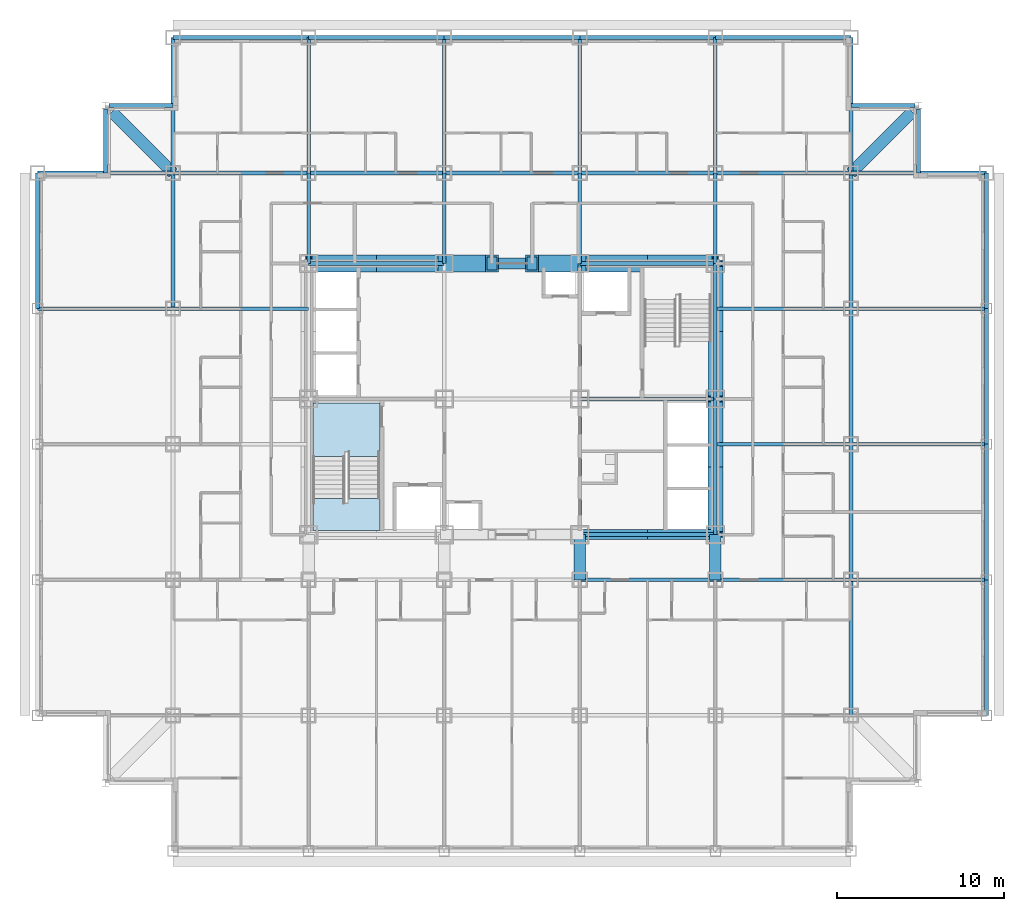
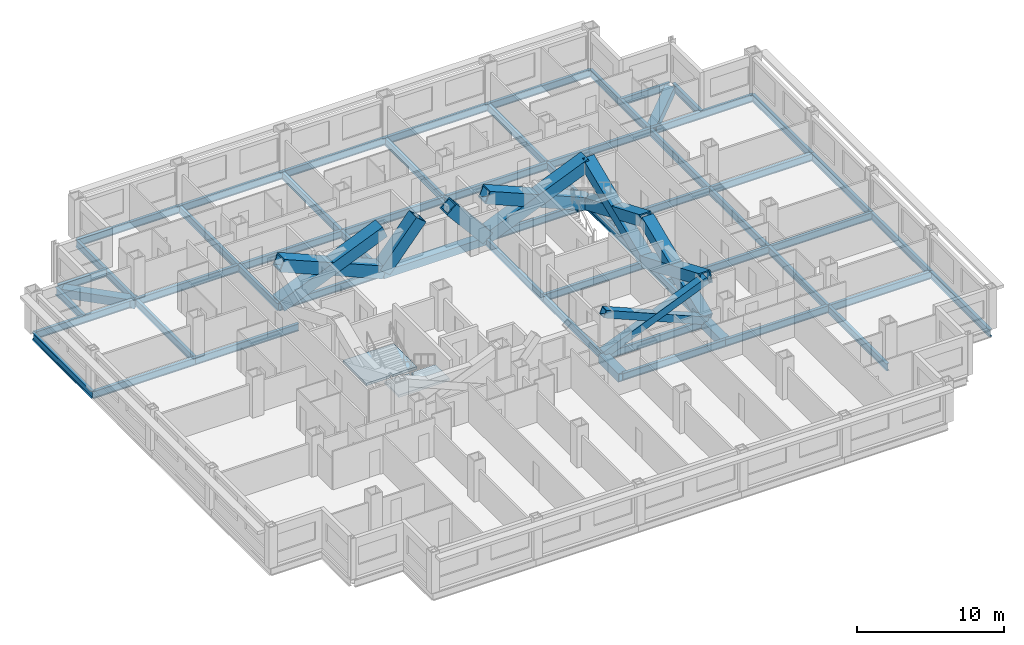
# One storey, part 2 of 13: 58 beams, 12 members, 2 slabs, 1 element without a shape of its own.
"""IFC4 building model written with IfcOpenShell, lengths in metres."""

from ifc_helpers import new_model, si_unit, direction, frame, origin, origin_2d, place, context, subcontext, project, spatial, polyline, hollow_rectangle, i_section, outline, extrude, material, layer, layer_set, material_profile, profile_set, type_object, element, aggregate, save


model = new_model("IFC4")

# Units and contexts
model_context = context("Model", 3, precision=1e-05, world=origin(), true_north=direction((0.0, 1.0)))
body_context = subcontext(model_context, "Body", "Model", "MODEL_VIEW")
ifc_project = project(units=[si_unit("LENGTHUNIT", "METRE"), si_unit("AREAUNIT", "SQUARE_METRE"), si_unit("VOLUMEUNIT", "CUBIC_METRE"), si_unit("PLANEANGLEUNIT", "RADIAN"), si_unit("MASSUNIT", "GRAM", prefix="KILO")], contexts=[model_context])

# Site, building, storey
site_placement = place(None, origin())
site = spatial("IfcSite", under=ifc_project, at=site_placement, CompositionType="ELEMENT")
building_placement = place(site_placement, origin())
building = spatial("IfcBuilding", under=site, at=building_placement, Name="Kopane Lantern Tower", CompositionType="ELEMENT")
storey_placement = place(building_placement, frame((0.0, 0.0, 110.199951171875)))
storey = spatial("IfcBuildingStorey", under=building, at=storey_placement, Name="L27", CompositionType="ELEMENT", Elevation=110.199951171875)

# Members
ifc_material_1 = material(Name="Steel S355JR", Category="steel")
ifc_material_profile_1 = material_profile(ifc_material_1, hollow_rectangle(XDim=1.0, YDim=1.0, WallThickness=0.10009765625, at=origin_2d()), Name="BOX 1000x1000x100")
ifc_profile_set_1 = profile_set([ifc_material_profile_1], Name="Steel S355JR")
member_type_1 = type_object("IfcMemberType", Name="BRACE BOX 1000x1000x100", PredefinedType="BRACE", material=ifc_profile_set_1)
for number, where, z_axis, x_axis, name in (
    (1, (16.199951171875, 40.5, -0.2099609375), (0.922069000757, 0.0, 0.387025526088), (0.0, 1.0, 0.0), "Core brace L27"),
    (2, (24.300048828125, 40.5, -0.2099609375), (-0.922069000757, 0.0, 0.387025526088), (0.0, -1.0, 0.0), "Core brace L27"),
):
    element("IfcMember", number, at=place(storey_placement, frame(where, z_axis=z_axis, x_axis=x_axis)), inside=storey, type_object=member_type_1, Name=name, PredefinedType="BRACE", context=body_context, shape_type="SweptSolid", body=[
        extrude(hollow_rectangle(XDim=1.0, YDim=1.0, WallThickness=0.10009765625, at=origin_2d()), origin(), (0.0, 0.0, 1.0), 8.78466796875),
    ])
for number, where, z_axis, x_axis, name in (
    (3, (24.300048828125, 40.5, -0.2099609375), (0.642390257445, 0.0, 0.7663776857), (0.0, 1.0, 0.0), "Core brace L27"),
    (4, (32.39990234375, 40.5, -0.2099609375), (-0.642390257445, 0.0, 0.7663776857), (0.0, -1.0, 0.0), "Core brace L27"),
):
    element("IfcMember", number, at=place(storey_placement, frame(where, z_axis=z_axis, x_axis=x_axis)), inside=storey, type_object=member_type_1, Name=name, PredefinedType="BRACE", context=body_context, shape_type="SweptSolid", body=[
        extrude(hollow_rectangle(XDim=1.0, YDim=1.0, WallThickness=0.10009765625, at=origin_2d()), origin(), (0.0, 0.0, 1.0), 4.436279296875),
    ])
for number, where, z_axis, x_axis, name in (
    (5, (32.39990234375, 40.5, -0.2099609375), (0.922069000757, 0.0, 0.387025526088), (0.0, 1.0, 0.0), "Core brace L27"),
    (6, (40.5, 40.5, -0.2099609375), (-0.922069000757, 0.0, 0.387025526088), (0.0, -1.0, 0.0), "Core brace L27"),
):
    element("IfcMember", number, at=place(storey_placement, frame(where, z_axis=z_axis, x_axis=x_axis)), inside=storey, type_object=member_type_1, Name=name, PredefinedType="BRACE", context=body_context, shape_type="SweptSolid", body=[
        extrude(hollow_rectangle(XDim=1.0, YDim=1.0, WallThickness=0.10009765625, at=origin_2d()), origin(), (0.0, 0.0, 1.0), 8.78466796875),
    ])
ifc_material_2 = material(Name="Steel S355JR", Category="steel")
ifc_material_profile_2 = material_profile(ifc_material_2, hollow_rectangle(XDim=0.60009765625, YDim=0.60009765625, WallThickness=0.050048828125, at=origin_2d()), Name="BOX 600x600x50")
ifc_profile_set_2 = profile_set([ifc_material_profile_2], Name="Steel S355JR")
member_type_2 = type_object("IfcMemberType", Name="BRACE BOX 600x600x50", PredefinedType="BRACE", material=ifc_profile_set_2)
for number, where, z_axis, x_axis, name in (
    (7, (32.39990234375, 24.300048828125, -0.2099609375), (0.922069000757, 0.0, 0.387025526088), (0.0, 1.0, 0.0), "Core brace L27"),
    (8, (40.5, 24.300048828125, -0.2099609375), (-0.922069000757, 0.0, 0.387025526088), (0.0, -1.0, 0.0), "Core brace L27"),
):
    element("IfcMember", number, at=place(storey_placement, frame(where, z_axis=z_axis, x_axis=x_axis)), inside=storey, type_object=member_type_2, Name=name, PredefinedType="BRACE", context=body_context, shape_type="SweptSolid", body=[
        extrude(hollow_rectangle(XDim=0.60009765625, YDim=0.60009765625, WallThickness=0.050048828125, at=origin_2d()), origin(), (0.0, 0.0, 1.0), 8.78466796875),
    ])
ifc_material_3 = material(Name="Steel S355JR", Category="steel")
ifc_material_profile_3 = material_profile(ifc_material_3, hollow_rectangle(XDim=0.89990234375, YDim=0.89990234375, WallThickness=0.090087890625, at=origin_2d()), Name="BOX 900x900x90")
ifc_profile_set_3 = profile_set([ifc_material_profile_3], Name="Steel S355JR")
member_type_3 = type_object("IfcMemberType", Name="BRACE BOX 900x900x90", PredefinedType="BRACE", material=ifc_profile_set_3)
for number, where, z_axis, x_axis, name in (
    (9, (40.5, 24.300048828125, -0.2099609375), (0.0, 0.922064837731, 0.38703544414), (-1.0, 0.0, 0.0), "Core brace L27"),
    (10, (40.5, 32.39990234375, -0.2099609375), (0.0, -0.922064837731, 0.38703544414), (1.0, 0.0, 0.0), "Core brace L27"),
):
    element("IfcMember", number, at=place(storey_placement, frame(where, z_axis=z_axis, x_axis=x_axis)), inside=storey, type_object=member_type_3, Name=name, PredefinedType="BRACE", context=body_context, shape_type="SweptSolid", body=[
        extrude(hollow_rectangle(XDim=0.89990234375, YDim=0.89990234375, WallThickness=0.090087890625, at=origin_2d()), origin(), (0.0, 0.0, 1.0), 8.784423828125),
    ])
for number, where, z_axis, x_axis, name in (
    (11, (40.5, 32.39990234375, -0.2099609375), (0.0, 0.922069000757, 0.387025526088), (-1.0, 0.0, 0.0), "Core brace L27"),
    (12, (40.5, 40.5, -0.2099609375), (0.0, -0.922069000757, 0.387025526088), (1.0, 0.0, 0.0), "Core brace L27"),
):
    element("IfcMember", number, at=place(storey_placement, frame(where, z_axis=z_axis, x_axis=x_axis)), inside=storey, type_object=member_type_3, Name=name, PredefinedType="BRACE", context=body_context, shape_type="SweptSolid", body=[
        extrude(hollow_rectangle(XDim=0.89990234375, YDim=0.89990234375, WallThickness=0.090087890625, at=origin_2d()), origin(), (0.0, 0.0, 1.0), 8.78466796875),
    ])

# Beams
ifc_material_4 = material(Name="Steel S355JR", Category="steel")
ifc_material_profile_4 = material_profile(ifc_material_4, i_section(OverallWidth=0.22900390625, OverallDepth=0.6123046875, WebThickness=0.011962890625, FlangeThickness=0.01953125, FilletRadius=0.0126953125, at=origin_2d()), Name="UB 610x229x125")
ifc_profile_set_4 = profile_set([ifc_material_profile_4], Name="Steel S355JR")
beam_type_1 = type_object("IfcBeamType", Name="CORE BEAM UB 610x229x125", PredefinedType="BEAM", material=ifc_profile_set_4)
beam_1_placement = place(storey_placement, frame((32.39990234375, 24.300048828125, -0.51611328125), z_axis=(0.0, 1.0, 0.0), x_axis=(-1.0, 0.0, 0.0)))
element("IfcBeam", 13, at=beam_1_placement, inside=storey, type_object=beam_type_1, Name="Core Beam L27", PredefinedType="BEAM", context=body_context, shape_type="SweptSolid", body=[
    extrude(i_section(OverallWidth=0.22900390625, OverallDepth=0.6123046875, WebThickness=0.011962890625, FlangeThickness=0.01953125, FilletRadius=0.0126953125, at=origin_2d()), origin(), (0.0, 0.0, 1.0), 8.099853515625),
])
for number, where, z_axis, x_axis, name in (
    (14, (32.39990234375, 32.39990234375, -0.51611328125), (0.0, 1.0, 0.0), (-1.0, 0.0, 0.0), "Core Beam L27"),
    (15, (32.39990234375, 32.39990234375, -0.51611328125), (1.0, 0.0, 0.0), (0.0, 1.0, 0.0), "Core Beam L27"),
):
    element("IfcBeam", number, at=place(storey_placement, frame(where, z_axis=z_axis, x_axis=x_axis)), inside=storey, type_object=beam_type_1, Name=name, PredefinedType="BEAM", context=body_context, shape_type="SweptSolid", body=[
        extrude(i_section(OverallWidth=0.22900390625, OverallDepth=0.6123046875, WebThickness=0.011962890625, FlangeThickness=0.01953125, FilletRadius=0.0126953125, at=origin_2d()), origin(), (0.0, 0.0, 1.0), 8.10009765625),
    ])
ifc_material_5 = material(Name="Steel S355JR", Category="steel")
ifc_material_profile_5 = material_profile(ifc_material_5, hollow_rectangle(XDim=0.699951171875, YDim=0.699951171875, WallThickness=0.06005859375, at=origin_2d()), Name="BOX 700x700x60")
ifc_profile_set_5 = profile_set([ifc_material_profile_5], Name="Steel S355JR")
beam_type_2 = type_object("IfcBeamType", Name="CORNER TIE BEAM BOX 700x700x60", PredefinedType="BEAM", material=ifc_profile_set_5)
beam_2_placement = place(storey_placement, frame((4.447509765625, 49.552490234375, -0.56005859375), z_axis=(0.707106781187, -0.707106781187, 0.0), x_axis=(0.707106781187, 0.707106781187, 0.0)))
element("IfcBeam", 16, at=beam_2_placement, inside=storey, type_object=beam_type_2, Name="Corner Tie Beam L27", PredefinedType="BEAM", context=body_context, shape_type="SweptSolid", body=[
    extrude(hollow_rectangle(XDim=0.699951171875, YDim=0.699951171875, WallThickness=0.06005859375, at=origin_2d()), origin(), (0.0, 0.0, 1.0), 5.16552734375),
])
beam_3_placement = place(storey_placement, frame((52.25244140625, 49.552490234375, -0.56005859375), z_axis=(-0.707083148333, -0.70713041325, 0.0), x_axis=(0.70713041325, -0.707083148333, 0.0)))
element("IfcBeam", 17, at=beam_3_placement, inside=storey, type_object=beam_type_2, Name="Corner Tie Beam L27", PredefinedType="BEAM", context=body_context, shape_type="SweptSolid", body=[
    extrude(hollow_rectangle(XDim=0.699951171875, YDim=0.699951171875, WallThickness=0.06005859375, at=origin_2d()), origin(), (0.0, 0.0, 1.0), 5.165283203125),
])
ifc_material_6 = material(Name="Steel S355JR", Category="steel")
ifc_material_profile_6 = material_profile(ifc_material_6, i_section(OverallWidth=0.22900390625, OverallDepth=0.6123046875, WebThickness=0.011962890625, FlangeThickness=0.01953125, FilletRadius=0.0126953125, at=origin_2d()), Name="UB 610x229x125")
ifc_profile_set_6 = profile_set([ifc_material_profile_6], Name="Steel S355JR")
beam_type_3 = type_object("IfcBeamType", Name="EDGE BEAM UB 610x229x125", PredefinedType="BEAM", material=ifc_profile_set_6)
for number, where, z_axis, x_axis, name in (
    (18, (4.050048828125, 49.74658203125, -0.51611328125), (0.0, -1.0, 0.0), (1.0, 0.0, 0.0), "Edge Beam L27"),
    (19, (4.25341796875, 49.949951171875, -0.51611328125), (1.0, 0.0, 0.0), (0.0, 1.0, 0.0), "Edge Beam L27"),
):
    element("IfcBeam", number, at=place(storey_placement, frame(where, z_axis=z_axis, x_axis=x_axis)), inside=storey, type_object=beam_type_3, Name=name, PredefinedType="BEAM", context=body_context, shape_type="SweptSolid", body=[
        extrude(i_section(OverallWidth=0.22900390625, OverallDepth=0.6123046875, WebThickness=0.011962890625, FlangeThickness=0.01953125, FilletRadius=0.0126953125, at=origin_2d()), origin(), (0.0, 0.0, 1.0), 3.8466796875),
    ])
beam_4_placement = place(storey_placement, frame((52.446533203125, 49.949951171875, -0.51611328125), z_axis=(-1.0, 0.0, 0.0), x_axis=(0.0, -1.0, 0.0)))
element("IfcBeam", 20, at=beam_4_placement, inside=storey, type_object=beam_type_3, Name="Edge Beam L27", PredefinedType="BEAM", context=body_context, shape_type="SweptSolid", body=[
    extrude(i_section(OverallWidth=0.22900390625, OverallDepth=0.6123046875, WebThickness=0.011962890625, FlangeThickness=0.01953125, FilletRadius=0.0126953125, at=origin_2d()), origin(), (0.0, 0.0, 1.0), 3.846435546875),
])
beam_5_placement = place(storey_placement, frame((52.64990234375, 49.74658203125, -0.51611328125), z_axis=(0.0, -1.0, 0.0), x_axis=(1.0, 0.0, 0.0)))
element("IfcBeam", 21, at=beam_5_placement, inside=storey, type_object=beam_type_3, Name="Edge Beam L27", PredefinedType="BEAM", context=body_context, shape_type="SweptSolid", body=[
    extrude(i_section(OverallWidth=0.22900390625, OverallDepth=0.6123046875, WebThickness=0.011962890625, FlangeThickness=0.01953125, FilletRadius=0.0126953125, at=origin_2d()), origin(), (0.0, 0.0, 1.0), 3.8466796875),
])
ifc_material_7 = material(Name="Steel S355JR", Category="steel")
ifc_material_profile_7 = material_profile(ifc_material_7, hollow_rectangle(XDim=0.699951171875, YDim=0.699951171875, WallThickness=0.06005859375, at=origin_2d()), Name="BOX 700x700x60")
ifc_profile_set_7 = profile_set([ifc_material_profile_7], Name="Steel S355JR")
beam_type_4 = type_object("IfcBeamType", Name="GIRDER BOX 700x700x60", PredefinedType="BEAM", material=ifc_profile_set_7)
for number, where, z_axis, x_axis, name in (
    (22, (32.39990234375, 21.60009765625, -0.56005859375), (0.0, 1.0, 0.0), (-1.0, 0.0, 0.0), "Girder L27"),
    (23, (40.5, 21.60009765625, -0.56005859375), (0.0, 1.0, 0.0), (-1.0, 0.0, 0.0), "Girder L27"),
):
    element("IfcBeam", number, at=place(storey_placement, frame(where, z_axis=z_axis, x_axis=x_axis)), inside=storey, type_object=beam_type_4, Name=name, PredefinedType="BEAM", context=body_context, shape_type="SweptSolid", body=[
        extrude(hollow_rectangle(XDim=0.699951171875, YDim=0.699951171875, WallThickness=0.06005859375, at=origin_2d()), origin(), (0.0, 0.0, 1.0), 2.699951171875),
    ])
ifc_material_8 = material(Name="Steel S355JR", Category="steel")
ifc_material_profile_8 = material_profile(ifc_material_8, i_section(OverallWidth=0.22900390625, OverallDepth=0.6123046875, WebThickness=0.011962890625, FlangeThickness=0.01953125, FilletRadius=0.0126953125, at=origin_2d()), Name="UB 610x229x125")
ifc_profile_set_8 = profile_set([ifc_material_profile_8], Name="Steel S355JR")
beam_type_5 = type_object("IfcBeamType", Name="GIRDER UB 610x229x125", PredefinedType="BEAM", material=ifc_profile_set_8)
beam_6_placement = place(storey_placement, frame((0.0, 37.800048828125, -0.51611328125), z_axis=(0.0, 1.0, 0.0), x_axis=(-1.0, 0.0, 0.0)))
element("IfcBeam", 24, at=beam_6_placement, inside=storey, type_object=beam_type_5, Name="Girder L27", PredefinedType="BEAM", context=body_context, shape_type="SweptSolid", body=[
    extrude(i_section(OverallWidth=0.22900390625, OverallDepth=0.6123046875, WebThickness=0.011962890625, FlangeThickness=0.01953125, FilletRadius=0.0126953125, at=origin_2d()), origin(), (0.0, 0.0, 1.0), 8.099853515625),
])
for number, where, z_axis, x_axis, name in (
    (25, (0.0, 37.800048828125, -0.51611328125), (1.0, 0.0, 0.0), (0.0, 1.0, 0.0), "Girder L27"),
    (26, (0.0, 45.89990234375, -0.51611328125), (1.0, 0.0, 0.0), (0.0, 1.0, 0.0), "Girder L27"),
):
    element("IfcBeam", number, at=place(storey_placement, frame(where, z_axis=z_axis, x_axis=x_axis)), inside=storey, type_object=beam_type_5, Name=name, PredefinedType="BEAM", context=body_context, shape_type="SweptSolid", body=[
        extrude(i_section(OverallWidth=0.22900390625, OverallDepth=0.6123046875, WebThickness=0.011962890625, FlangeThickness=0.01953125, FilletRadius=0.0126953125, at=origin_2d()), origin(), (0.0, 0.0, 1.0), 8.10009765625),
    ])
for number, where, z_axis, x_axis, name in (
    (27, (8.10009765625, 37.800048828125, -0.51611328125), (0.0, 1.0, 0.0), (-1.0, 0.0, 0.0), "Girder L27"),
    (28, (8.10009765625, 37.800048828125, -0.51611328125), (1.0, 0.0, 0.0), (0.0, 1.0, 0.0), "Girder L27"),
):
    element("IfcBeam", number, at=place(storey_placement, frame(where, z_axis=z_axis, x_axis=x_axis)), inside=storey, type_object=beam_type_5, Name=name, PredefinedType="BEAM", context=body_context, shape_type="SweptSolid", body=[
        extrude(i_section(OverallWidth=0.22900390625, OverallDepth=0.6123046875, WebThickness=0.011962890625, FlangeThickness=0.01953125, FilletRadius=0.0126953125, at=origin_2d()), origin(), (0.0, 0.0, 1.0), 8.099853515625),
    ])
beam_7_placement = place(storey_placement, frame((8.10009765625, 45.89990234375, -0.51611328125), z_axis=(0.0, 1.0, 0.0), x_axis=(-1.0, 0.0, 0.0)))
element("IfcBeam", 29, at=beam_7_placement, inside=storey, type_object=beam_type_5, Name="Girder L27", PredefinedType="BEAM", context=body_context, shape_type="SweptSolid", body=[
    extrude(i_section(OverallWidth=0.22900390625, OverallDepth=0.6123046875, WebThickness=0.011962890625, FlangeThickness=0.01953125, FilletRadius=0.0126953125, at=origin_2d()), origin(), (0.0, 0.0, 1.0), 8.10009765625),
])
for number, where, z_axis, x_axis, name in (
    (30, (8.10009765625, 45.89990234375, -0.51611328125), (1.0, 0.0, 0.0), (0.0, 1.0, 0.0), "Girder L27"),
    (31, (8.10009765625, 54.0, -0.51611328125), (1.0, 0.0, 0.0), (0.0, 1.0, 0.0), "Girder L27"),
):
    element("IfcBeam", number, at=place(storey_placement, frame(where, z_axis=z_axis, x_axis=x_axis)), inside=storey, type_object=beam_type_5, Name=name, PredefinedType="BEAM", context=body_context, shape_type="SweptSolid", body=[
        extrude(i_section(OverallWidth=0.22900390625, OverallDepth=0.6123046875, WebThickness=0.011962890625, FlangeThickness=0.01953125, FilletRadius=0.0126953125, at=origin_2d()), origin(), (0.0, 0.0, 1.0), 8.099853515625),
    ])
beam_8_placement = place(storey_placement, frame((16.199951171875, 40.5, -0.51611328125), z_axis=(0.0, 1.0, 0.0), x_axis=(-1.0, 0.0, 0.0)))
element("IfcBeam", 32, at=beam_8_placement, inside=storey, type_object=beam_type_5, Name="Girder L27", PredefinedType="BEAM", context=body_context, shape_type="SweptSolid", body=[
    extrude(i_section(OverallWidth=0.22900390625, OverallDepth=0.6123046875, WebThickness=0.011962890625, FlangeThickness=0.01953125, FilletRadius=0.0126953125, at=origin_2d()), origin(), (0.0, 0.0, 1.0), 5.39990234375),
])
for number, where, z_axis, x_axis, name in (
    (33, (16.199951171875, 40.5, -0.51611328125), (1.0, 0.0, 0.0), (0.0, 1.0, 0.0), "Girder L27"),
    (34, (16.199951171875, 45.89990234375, -0.51611328125), (0.0, 1.0, 0.0), (-1.0, 0.0, 0.0), "Girder L27"),
    (35, (16.199951171875, 45.89990234375, -0.51611328125), (1.0, 0.0, 0.0), (0.0, 1.0, 0.0), "Girder L27"),
    (36, (16.199951171875, 54.0, -0.51611328125), (1.0, 0.0, 0.0), (0.0, 1.0, 0.0), "Girder L27"),
):
    element("IfcBeam", number, at=place(storey_placement, frame(where, z_axis=z_axis, x_axis=x_axis)), inside=storey, type_object=beam_type_5, Name=name, PredefinedType="BEAM", context=body_context, shape_type="SweptSolid", body=[
        extrude(i_section(OverallWidth=0.22900390625, OverallDepth=0.6123046875, WebThickness=0.011962890625, FlangeThickness=0.01953125, FilletRadius=0.0126953125, at=origin_2d()), origin(), (0.0, 0.0, 1.0), 8.10009765625),
    ])
beam_9_placement = place(storey_placement, frame((24.300048828125, 40.5, -0.51611328125), z_axis=(0.0, 1.0, 0.0), x_axis=(-1.0, 0.0, 0.0)))
element("IfcBeam", 37, at=beam_9_placement, inside=storey, type_object=beam_type_5, Name="Girder L27", PredefinedType="BEAM", context=body_context, shape_type="SweptSolid", body=[
    extrude(i_section(OverallWidth=0.22900390625, OverallDepth=0.6123046875, WebThickness=0.011962890625, FlangeThickness=0.01953125, FilletRadius=0.0126953125, at=origin_2d()), origin(), (0.0, 0.0, 1.0), 5.39990234375),
])
beam_10_placement = place(storey_placement, frame((24.300048828125, 45.89990234375, -0.51611328125), z_axis=(0.0, 1.0, 0.0), x_axis=(-1.0, 0.0, 0.0)))
element("IfcBeam", 38, at=beam_10_placement, inside=storey, type_object=beam_type_5, Name="Girder L27", PredefinedType="BEAM", context=body_context, shape_type="SweptSolid", body=[
    extrude(i_section(OverallWidth=0.22900390625, OverallDepth=0.6123046875, WebThickness=0.011962890625, FlangeThickness=0.01953125, FilletRadius=0.0126953125, at=origin_2d()), origin(), (0.0, 0.0, 1.0), 8.10009765625),
])
for number, where, z_axis, x_axis, name in (
    (39, (24.300048828125, 45.89990234375, -0.51611328125), (1.0, 0.0, 0.0), (0.0, 1.0, 0.0), "Girder L27"),
    (40, (24.300048828125, 54.0, -0.51611328125), (1.0, 0.0, 0.0), (0.0, 1.0, 0.0), "Girder L27"),
):
    element("IfcBeam", number, at=place(storey_placement, frame(where, z_axis=z_axis, x_axis=x_axis)), inside=storey, type_object=beam_type_5, Name=name, PredefinedType="BEAM", context=body_context, shape_type="SweptSolid", body=[
        extrude(i_section(OverallWidth=0.22900390625, OverallDepth=0.6123046875, WebThickness=0.011962890625, FlangeThickness=0.01953125, FilletRadius=0.0126953125, at=origin_2d()), origin(), (0.0, 0.0, 1.0), 8.099853515625),
    ])
for number, where, z_axis, x_axis, name in (
    (41, (32.39990234375, 21.60009765625, -0.51611328125), (1.0, 0.0, 0.0), (0.0, 1.0, 0.0), "Girder L27"),
    (42, (32.39990234375, 24.300048828125, -0.51611328125), (1.0, 0.0, 0.0), (0.0, 1.0, 0.0), "Girder L27"),
):
    element("IfcBeam", number, at=place(storey_placement, frame(where, z_axis=z_axis, x_axis=x_axis)), inside=storey, type_object=beam_type_5, Name=name, PredefinedType="BEAM", context=body_context, shape_type="SweptSolid", body=[
        extrude(i_section(OverallWidth=0.22900390625, OverallDepth=0.6123046875, WebThickness=0.011962890625, FlangeThickness=0.01953125, FilletRadius=0.0126953125, at=origin_2d()), origin(), (0.0, 0.0, 1.0), 8.10009765625),
    ])
beam_11_placement = place(storey_placement, frame((32.39990234375, 40.5, -0.51611328125), z_axis=(0.0, 1.0, 0.0), x_axis=(-1.0, 0.0, 0.0)))
element("IfcBeam", 43, at=beam_11_placement, inside=storey, type_object=beam_type_5, Name="Girder L27", PredefinedType="BEAM", context=body_context, shape_type="SweptSolid", body=[
    extrude(i_section(OverallWidth=0.22900390625, OverallDepth=0.6123046875, WebThickness=0.011962890625, FlangeThickness=0.01953125, FilletRadius=0.0126953125, at=origin_2d()), origin(), (0.0, 0.0, 1.0), 5.39990234375),
])
for number, where, z_axis, x_axis, name in (
    (44, (32.39990234375, 40.5, -0.51611328125), (1.0, 0.0, 0.0), (0.0, 1.0, 0.0), "Girder L27"),
    (45, (32.39990234375, 45.89990234375, -0.51611328125), (0.0, 1.0, 0.0), (-1.0, 0.0, 0.0), "Girder L27"),
    (46, (32.39990234375, 45.89990234375, -0.51611328125), (1.0, 0.0, 0.0), (0.0, 1.0, 0.0), "Girder L27"),
    (47, (32.39990234375, 54.0, -0.51611328125), (1.0, 0.0, 0.0), (0.0, 1.0, 0.0), "Girder L27"),
    (48, (40.5, 21.60009765625, -0.51611328125), (1.0, 0.0, 0.0), (0.0, 1.0, 0.0), "Girder L27"),
):
    element("IfcBeam", number, at=place(storey_placement, frame(where, z_axis=z_axis, x_axis=x_axis)), inside=storey, type_object=beam_type_5, Name=name, PredefinedType="BEAM", context=body_context, shape_type="SweptSolid", body=[
        extrude(i_section(OverallWidth=0.22900390625, OverallDepth=0.6123046875, WebThickness=0.011962890625, FlangeThickness=0.01953125, FilletRadius=0.0126953125, at=origin_2d()), origin(), (0.0, 0.0, 1.0), 8.10009765625),
    ])
beam_12_placement = place(storey_placement, frame((40.5, 24.300048828125, -0.51611328125), z_axis=(0.0, 1.0, 0.0), x_axis=(-1.0, 0.0, 0.0)))
element("IfcBeam", 49, at=beam_12_placement, inside=storey, type_object=beam_type_5, Name="Girder L27", PredefinedType="BEAM", context=body_context, shape_type="SweptSolid", body=[
    extrude(i_section(OverallWidth=0.22900390625, OverallDepth=0.6123046875, WebThickness=0.011962890625, FlangeThickness=0.01953125, FilletRadius=0.0126953125, at=origin_2d()), origin(), (0.0, 0.0, 1.0), 8.099853515625),
])
for number, where, z_axis, x_axis, name in (
    (50, (40.5, 29.699951171875, -0.51611328125), (1.0, 0.0, 0.0), (0.0, 1.0, 0.0), "Girder L27"),
    (51, (40.5, 32.39990234375, -0.51611328125), (0.0, 1.0, 0.0), (-1.0, 0.0, 0.0), "Girder L27"),
    (52, (40.5, 37.800048828125, -0.51611328125), (1.0, 0.0, 0.0), (0.0, 1.0, 0.0), "Girder L27"),
):
    element("IfcBeam", number, at=place(storey_placement, frame(where, z_axis=z_axis, x_axis=x_axis)), inside=storey, type_object=beam_type_5, Name=name, PredefinedType="BEAM", context=body_context, shape_type="SweptSolid", body=[
        extrude(i_section(OverallWidth=0.22900390625, OverallDepth=0.6123046875, WebThickness=0.011962890625, FlangeThickness=0.01953125, FilletRadius=0.0126953125, at=origin_2d()), origin(), (0.0, 0.0, 1.0), 8.10009765625),
    ])
beam_13_placement = place(storey_placement, frame((40.5, 40.5, -0.51611328125), z_axis=(0.0, 1.0, 0.0), x_axis=(-1.0, 0.0, 0.0)))
element("IfcBeam", 53, at=beam_13_placement, inside=storey, type_object=beam_type_5, Name="Girder L27", PredefinedType="BEAM", context=body_context, shape_type="SweptSolid", body=[
    extrude(i_section(OverallWidth=0.22900390625, OverallDepth=0.6123046875, WebThickness=0.011962890625, FlangeThickness=0.01953125, FilletRadius=0.0126953125, at=origin_2d()), origin(), (0.0, 0.0, 1.0), 5.39990234375),
])
for number, where, z_axis, x_axis, name in (
    (54, (40.5, 45.89990234375, -0.51611328125), (0.0, 1.0, 0.0), (-1.0, 0.0, 0.0), "Girder L27"),
    (55, (40.5, 45.89990234375, -0.51611328125), (1.0, 0.0, 0.0), (0.0, 1.0, 0.0), "Girder L27"),
    (56, (40.5, 54.0, -0.51611328125), (1.0, 0.0, 0.0), (0.0, 1.0, 0.0), "Girder L27"),
    (57, (48.60009765625, 13.5, -0.51611328125), (0.0, 1.0, 0.0), (-1.0, 0.0, 0.0), "Girder L27"),
):
    element("IfcBeam", number, at=place(storey_placement, frame(where, z_axis=z_axis, x_axis=x_axis)), inside=storey, type_object=beam_type_5, Name=name, PredefinedType="BEAM", context=body_context, shape_type="SweptSolid", body=[
        extrude(i_section(OverallWidth=0.22900390625, OverallDepth=0.6123046875, WebThickness=0.011962890625, FlangeThickness=0.01953125, FilletRadius=0.0126953125, at=origin_2d()), origin(), (0.0, 0.0, 1.0), 8.10009765625),
    ])
for number, where, z_axis, x_axis, name in (
    (58, (48.60009765625, 21.60009765625, -0.51611328125), (0.0, 1.0, 0.0), (-1.0, 0.0, 0.0), "Girder L27"),
    (59, (48.60009765625, 21.60009765625, -0.51611328125), (1.0, 0.0, 0.0), (0.0, 1.0, 0.0), "Girder L27"),
):
    element("IfcBeam", number, at=place(storey_placement, frame(where, z_axis=z_axis, x_axis=x_axis)), inside=storey, type_object=beam_type_5, Name=name, PredefinedType="BEAM", context=body_context, shape_type="SweptSolid", body=[
        extrude(i_section(OverallWidth=0.22900390625, OverallDepth=0.6123046875, WebThickness=0.011962890625, FlangeThickness=0.01953125, FilletRadius=0.0126953125, at=origin_2d()), origin(), (0.0, 0.0, 1.0), 8.099853515625),
    ])
beam_14_placement = place(storey_placement, frame((48.60009765625, 29.699951171875, -0.51611328125), z_axis=(0.0, 1.0, 0.0), x_axis=(-1.0, 0.0, 0.0)))
element("IfcBeam", 60, at=beam_14_placement, inside=storey, type_object=beam_type_5, Name="Girder L27", PredefinedType="BEAM", context=body_context, shape_type="SweptSolid", body=[
    extrude(i_section(OverallWidth=0.22900390625, OverallDepth=0.6123046875, WebThickness=0.011962890625, FlangeThickness=0.01953125, FilletRadius=0.0126953125, at=origin_2d()), origin(), (0.0, 0.0, 1.0), 8.10009765625),
])
for number, where, z_axis, x_axis, name in (
    (61, (48.60009765625, 29.699951171875, -0.51611328125), (1.0, 0.0, 0.0), (0.0, 1.0, 0.0), "Girder L27"),
    (62, (48.60009765625, 37.800048828125, -0.51611328125), (0.0, 1.0, 0.0), (-1.0, 0.0, 0.0), "Girder L27"),
    (63, (48.60009765625, 37.800048828125, -0.51611328125), (1.0, 0.0, 0.0), (0.0, 1.0, 0.0), "Girder L27"),
):
    element("IfcBeam", number, at=place(storey_placement, frame(where, z_axis=z_axis, x_axis=x_axis)), inside=storey, type_object=beam_type_5, Name=name, PredefinedType="BEAM", context=body_context, shape_type="SweptSolid", body=[
        extrude(i_section(OverallWidth=0.22900390625, OverallDepth=0.6123046875, WebThickness=0.011962890625, FlangeThickness=0.01953125, FilletRadius=0.0126953125, at=origin_2d()), origin(), (0.0, 0.0, 1.0), 8.099853515625),
    ])
beam_15_placement = place(storey_placement, frame((48.60009765625, 45.89990234375, -0.51611328125), z_axis=(0.0, 1.0, 0.0), x_axis=(-1.0, 0.0, 0.0)))
element("IfcBeam", 64, at=beam_15_placement, inside=storey, type_object=beam_type_5, Name="Girder L27", PredefinedType="BEAM", context=body_context, shape_type="SweptSolid", body=[
    extrude(i_section(OverallWidth=0.22900390625, OverallDepth=0.6123046875, WebThickness=0.011962890625, FlangeThickness=0.01953125, FilletRadius=0.0126953125, at=origin_2d()), origin(), (0.0, 0.0, 1.0), 8.10009765625),
])
beam_16_placement = place(storey_placement, frame((48.60009765625, 45.89990234375, -0.51611328125), z_axis=(1.0, 0.0, 0.0), x_axis=(0.0, 1.0, 0.0)))
element("IfcBeam", 65, at=beam_16_placement, inside=storey, type_object=beam_type_5, Name="Girder L27", PredefinedType="BEAM", context=body_context, shape_type="SweptSolid", body=[
    extrude(i_section(OverallWidth=0.22900390625, OverallDepth=0.6123046875, WebThickness=0.011962890625, FlangeThickness=0.01953125, FilletRadius=0.0126953125, at=origin_2d()), origin(), (0.0, 0.0, 1.0), 8.099853515625),
])
beam_17_placement = place(storey_placement, frame((56.699951171875, 13.5, -0.51611328125), z_axis=(0.0, 1.0, 0.0), x_axis=(-1.0, 0.0, 0.0)))
element("IfcBeam", 66, at=beam_17_placement, inside=storey, type_object=beam_type_5, Name="Girder L27", PredefinedType="BEAM", context=body_context, shape_type="SweptSolid", body=[
    extrude(i_section(OverallWidth=0.22900390625, OverallDepth=0.6123046875, WebThickness=0.011962890625, FlangeThickness=0.01953125, FilletRadius=0.0126953125, at=origin_2d()), origin(), (0.0, 0.0, 1.0), 8.10009765625),
])
beam_18_placement = place(storey_placement, frame((56.699951171875, 21.60009765625, -0.51611328125), z_axis=(0.0, 1.0, 0.0), x_axis=(-1.0, 0.0, 0.0)))
element("IfcBeam", 67, at=beam_18_placement, inside=storey, type_object=beam_type_5, Name="Girder L27", PredefinedType="BEAM", context=body_context, shape_type="SweptSolid", body=[
    extrude(i_section(OverallWidth=0.22900390625, OverallDepth=0.6123046875, WebThickness=0.011962890625, FlangeThickness=0.01953125, FilletRadius=0.0126953125, at=origin_2d()), origin(), (0.0, 0.0, 1.0), 8.099853515625),
])
beam_19_placement = place(storey_placement, frame((56.699951171875, 29.699951171875, -0.51611328125), z_axis=(0.0, 1.0, 0.0), x_axis=(-1.0, 0.0, 0.0)))
element("IfcBeam", 68, at=beam_19_placement, inside=storey, type_object=beam_type_5, Name="Girder L27", PredefinedType="BEAM", context=body_context, shape_type="SweptSolid", body=[
    extrude(i_section(OverallWidth=0.22900390625, OverallDepth=0.6123046875, WebThickness=0.011962890625, FlangeThickness=0.01953125, FilletRadius=0.0126953125, at=origin_2d()), origin(), (0.0, 0.0, 1.0), 8.10009765625),
])
beam_20_placement = place(storey_placement, frame((56.699951171875, 37.800048828125, -0.51611328125), z_axis=(0.0, 1.0, 0.0), x_axis=(-1.0, 0.0, 0.0)))
element("IfcBeam", 69, at=beam_20_placement, inside=storey, type_object=beam_type_5, Name="Girder L27", PredefinedType="BEAM", context=body_context, shape_type="SweptSolid", body=[
    extrude(i_section(OverallWidth=0.22900390625, OverallDepth=0.6123046875, WebThickness=0.011962890625, FlangeThickness=0.01953125, FilletRadius=0.0126953125, at=origin_2d()), origin(), (0.0, 0.0, 1.0), 8.099853515625),
])
ifc_material_9 = material(Name="Steel S355JR", Category="steel")
ifc_material_profile_9 = material_profile(ifc_material_9, hollow_rectangle(XDim=0.64990234375, YDim=0.64990234375, WallThickness=0.070068359375, at=origin_2d()), Name="BOX 650x650x70")
ifc_profile_set_9 = profile_set([ifc_material_profile_9], Name="Steel S355JR")
beam_type_6 = type_object("IfcBeamType", Name="LINK BEAM BOX 650x650x70", PredefinedType="BEAM", material=ifc_profile_set_9)
beam_21_placement = place(storey_placement, frame((24.300048828125, 40.5, -0.534912109375), z_axis=(1.0, 0.0, 0.0), x_axis=(0.0, 1.0, 0.0)))
element("IfcBeam", 70, at=beam_21_placement, inside=storey, type_object=beam_type_6, Name="Link Beam L27", PredefinedType="BEAM", context=body_context, shape_type="SweptSolid", body=[
    extrude(hollow_rectangle(XDim=0.64990234375, YDim=0.64990234375, WallThickness=0.070068359375, at=origin_2d()), origin(), (0.0, 0.0, 1.0), 8.099853515625),
])

# Stair, slabs
ifc_material_10 = material(Name="Steel S355JR", Category="steel")
stair_type = type_object("IfcStairType", Name="EXIT STAIR 1900 HALF TURN", PredefinedType="HALF_TURN_STAIR", material=ifc_material_10)
stair_placement = place(storey_placement, origin())
stair = element("IfcStair", 71, at=stair_placement, inside=storey, type_object=stair_type, Name="Exit stair ST1 L27", PredefinedType="HALF_TURN_STAIR")
ifc_material_11 = material(Name="Concrete C40/50", Category="concrete")
ifc_layer = layer(ifc_material_11, 0.199951171875)
ifc_layer_set = layer_set([ifc_layer], Name="STAIR LANDING 200")
slab_type = type_object("IfcSlabType", Name="STAIR LANDING 200", PredefinedType="LANDING", material=ifc_layer_set)
slab_1_placement = place(storey_placement, frame((0.0, 0.0, -0.199951171875)))
slab_1 = element("IfcSlab", 72, at=slab_1_placement, type_object=slab_type, Name="ST1 landing 1", PredefinedType="LANDING", context=body_context, shape_type="SweptSolid", body=[
    extrude(outline(polyline([(18.35009765625, 29.25), (18.550048828125, 29.25), (18.550048828125, 28.969970703125), (20.449951171875, 28.969970703125), (20.449951171875, 32.14990234375), (16.449951171875, 32.14990234375), (16.449951171875, 28.969970703125), (18.35009765625, 28.969970703125), (18.35009765625, 29.25)])), origin(), (0.0, 0.0, 1.0), 0.199951171875),
])
slab_2_placement = place(storey_placement, frame((0.0, 0.0, 1.5)))
slab_2 = element("IfcSlab", 73, at=slab_2_placement, type_object=slab_type, Name="ST1 landing 2", PredefinedType="LANDING", context=body_context, shape_type="SweptSolid", body=[
    extrude(outline(polyline([(20.449951171875, 26.449951171875), (18.550048828125, 26.449951171875), (18.550048828125, 26.169921875), (18.35009765625, 26.169921875), (18.35009765625, 26.449951171875), (16.449951171875, 26.449951171875), (16.449951171875, 24.550048828125), (20.449951171875, 24.550048828125), (20.449951171875, 26.449951171875)])), origin(), (0.0, 0.0, 1.0), 0.199951171875),
])
aggregate(stair, [slab_1, slab_2])

save(model, "model.ifc")
